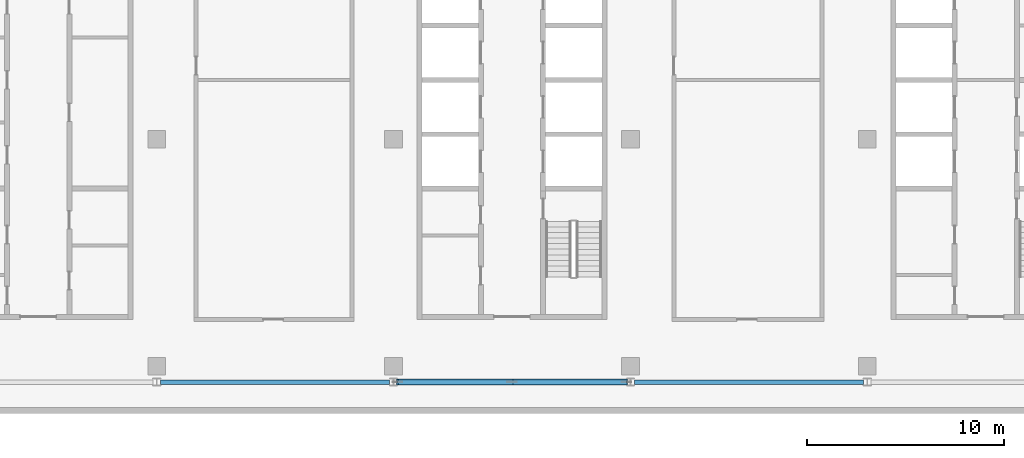
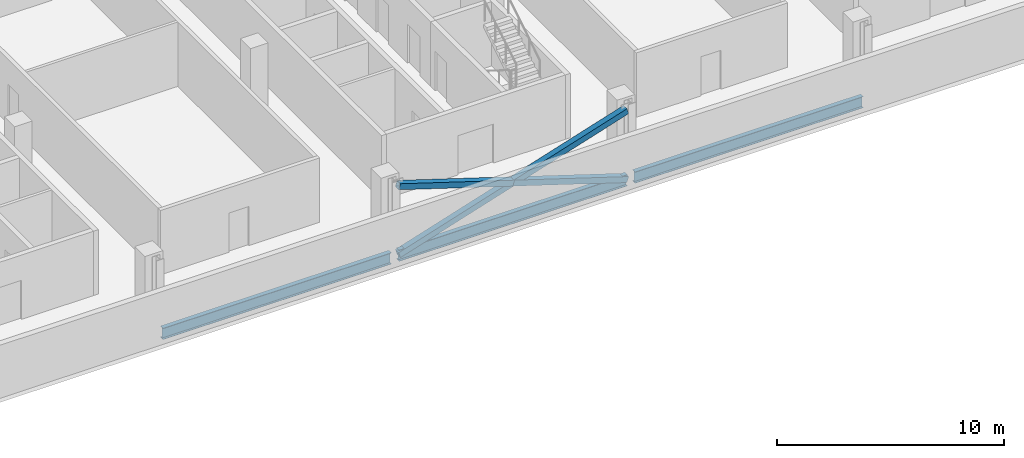
# One storey, part 7 of 28: 3 beams, 3 members.
"""IFC4 building model written with IfcOpenShell, lengths in metres."""

from ifc_helpers import new_model, si_unit, direction, frame, origin, origin_2d, place, context, subcontext, project, spatial, hollow_rectangle, i_section, extrude, material, material_profile, profile_set, type_object, element, save


model = new_model("IFC4")

# Units and contexts
model_context = context("Model", 3, precision=1e-05, world=origin(), true_north=direction((0.0, 1.0)))
body_context = subcontext(model_context, "Body", "Model", "MODEL_VIEW")
ifc_project = project(units=[si_unit("LENGTHUNIT", "METRE"), si_unit("AREAUNIT", "SQUARE_METRE"), si_unit("VOLUMEUNIT", "CUBIC_METRE"), si_unit("PLANEANGLEUNIT", "RADIAN"), si_unit("MASSUNIT", "GRAM", prefix="KILO")], contexts=[model_context])

# Site, building, storey
site_placement = place(None, origin())
site = spatial("IfcSite", under=ifc_project, at=site_placement, CompositionType="ELEMENT")
building_placement = place(site_placement, origin())
building = spatial("IfcBuilding", under=site, at=building_placement, Name="Mahtab Terrace Research Tower", CompositionType="ELEMENT")
storey_placement = place(building_placement, frame((0.0, 0.0, 267.10009765625)))
storey = spatial("IfcBuildingStorey", under=building, at=storey_placement, Name="L65", CompositionType="ELEMENT", Elevation=267.10009765625)

# Members
ifc_material_1 = material(Name="Steel ASTM A500 Gr C", Category="steel")
ifc_material_profile_1 = material_profile(ifc_material_1, hollow_rectangle(XDim=0.3046875, YDim=0.3046875, WallThickness=0.015869140625, at=origin_2d()), Name="HSS12X12X5/8")
ifc_profile_set_1 = profile_set([ifc_material_profile_1], Name="Steel ASTM A500 Gr C")
member_type = type_object("IfcMemberType", Name="HSS 12x12x5/8 brace XB121258", PredefinedType="BRACE", material=ifc_profile_set_1)
member_placement = place(storey_placement, frame((-5.80322265625, -12.306884765625, -0.581298828125), z_axis=(0.953344149173, 0.0, 0.301885629399), x_axis=(0.0, 1.0, 0.0)))
element("IfcMember", 1, at=member_placement, inside=storey, type_object=member_type, Name="Exoskeleton brace L65 17 a", PredefinedType="BRACE", context=body_context, shape_type="SweptSolid", body=[
    extrude(hollow_rectangle(XDim=0.3046875, YDim=0.3046875, WallThickness=0.015869140625, at=origin_2d()), origin(), (0.0, 0.0, 1.0), 12.174560546875),
])
for number, where, z_axis, x_axis, name in (
    (2, (5.80322265625, -12.306884765625, -0.581298828125), (-0.953344149173, 0.0, 0.301885629399), (0.0, -1.0, 0.0), "Exoskeleton brace L65 17 b1"),
    (3, (0.0, -12.306884765625, 1.25634765625), (-0.953344149173, 0.0, 0.301885629399), (0.0, -1.0, 0.0), "Exoskeleton brace L65 17 b2"),
):
    element("IfcMember", number, at=place(storey_placement, frame(where, z_axis=z_axis, x_axis=x_axis)), inside=storey, type_object=member_type, Name=name, PredefinedType="BRACE", context=body_context, shape_type="SweptSolid", body=[
        extrude(hollow_rectangle(XDim=0.3046875, YDim=0.3046875, WallThickness=0.015869140625, at=origin_2d()), origin(), (0.0, 0.0, 1.0), 6.087158203125),
    ])

# Beams
ifc_material_2 = material(Name="Steel ASTM A992 Gr 50", Category="steel")
ifc_material_profile_2 = material_profile(ifc_material_2, i_section(OverallWidth=0.228271484375, OverallDepth=0.607177734375, WebThickness=0.01123046875, FlangeThickness=0.017333984375, at=origin_2d()), Name="W24X76")
ifc_profile_set_2 = profile_set([ifc_material_profile_2], Name="Steel ASTM A992 Gr 50")
beam_type = type_object("IfcBeamType", Name="W24x76 beam BS2476", PredefinedType="BEAM", material=ifc_profile_set_2)
for number, where, z_axis, x_axis, name in (
    (4, (-17.80322265625, -12.306884765625, -0.6435546875), (1.0, 0.0, 0.0), (0.0, 1.0, 0.0), "Spandrel beam L65 16"),
    (5, (-5.80322265625, -12.306884765625, -0.6435546875), (1.0, 0.0, 0.0), (0.0, 1.0, 0.0), "Spandrel beam L65 17"),
    (6, (6.19677734375, -12.306884765625, -0.6435546875), (1.0, 0.0, 0.0), (0.0, 1.0, 0.0), "Spandrel beam L65 18"),
):
    element("IfcBeam", number, at=place(storey_placement, frame(where, z_axis=z_axis, x_axis=x_axis)), inside=storey, type_object=beam_type, Name=name, PredefinedType="BEAM", context=body_context, shape_type="SweptSolid", body=[
        extrude(i_section(OverallWidth=0.228271484375, OverallDepth=0.607177734375, WebThickness=0.01123046875, FlangeThickness=0.017333984375, at=origin_2d()), origin(), (0.0, 0.0, 1.0), 11.6064453125),
    ])

save(model, "model.ifc")
